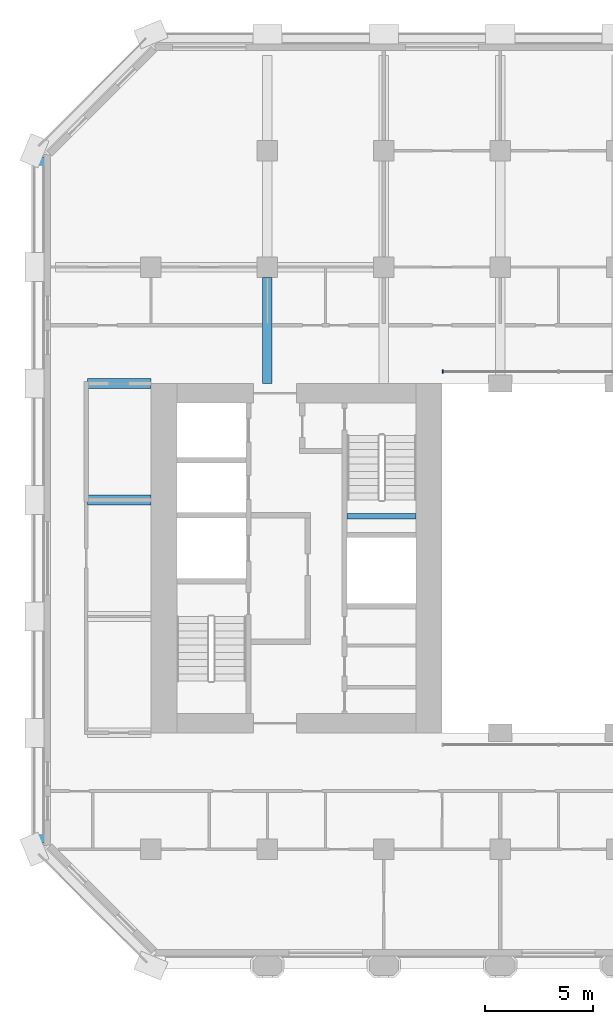
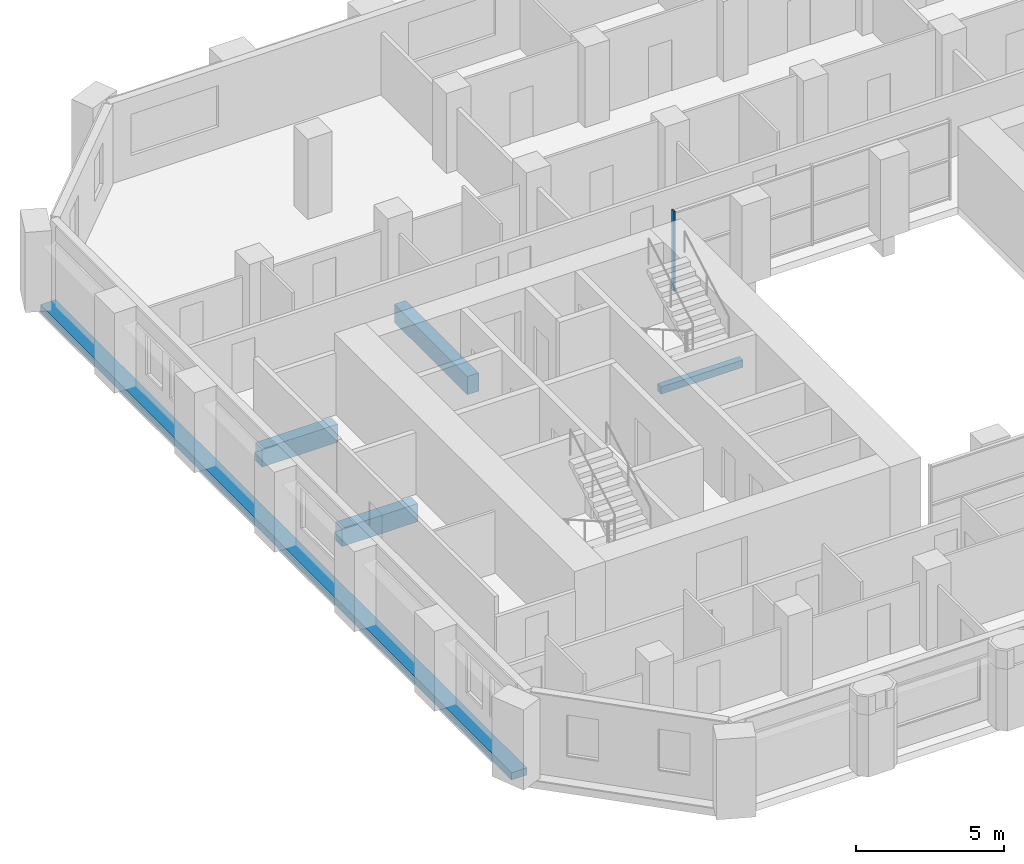
# One storey, part 3 of 13: 5 beams, 1 member, 1 element without a shape of its own.
"""IFC4 building model written with IfcOpenShell, lengths in metres."""

from ifc_helpers import new_model, si_unit, direction, frame, origin, origin_2d, place, context, subcontext, project, spatial, rectangle, extrude, material, material_profile, profile_set, type_object, element, aggregate, save


model = new_model("IFC4")

# Units and contexts
model_context = context("Model", 3, precision=1e-05, world=origin(), true_north=direction((0.0, 1.0)))
body_context = subcontext(model_context, "Body", "Model", "MODEL_VIEW")
ifc_project = project(units=[si_unit("LENGTHUNIT", "METRE"), si_unit("AREAUNIT", "SQUARE_METRE"), si_unit("VOLUMEUNIT", "CUBIC_METRE"), si_unit("PLANEANGLEUNIT", "RADIAN"), si_unit("MASSUNIT", "GRAM", prefix="KILO")], contexts=[model_context])

# Site, building, storey
site_placement = place(None, origin())
site = spatial("IfcSite", under=ifc_project, at=site_placement, CompositionType="ELEMENT")
building_placement = place(site_placement, origin())
building = spatial("IfcBuilding", under=site, at=building_placement, Name="Tabaq Tower and Sports Hall", CompositionType="ELEMENT")
storey_placement = place(building_placement, frame((0.0, 0.0, 122.0)))
storey = spatial("IfcBuildingStorey", under=building, at=storey_placement, Name="L29", CompositionType="ELEMENT", Elevation=122.0)

# Curtain wall, member
ifc_material_1 = material(Name="Aluminium alloy 6063-T6 framed glazing", Category="aluminium")
curtain_wall_type = type_object("IfcCurtainWallType", Name="CW1 curtain wall", PredefinedType="USERDEFINED", material=ifc_material_1)
curtain_wall_placement = place(storey_placement, origin())
curtain_wall = element("IfcCurtainWall", 1, at=curtain_wall_placement, inside=storey, type_object=curtain_wall_type, Name="Atrium glazing L29 N", ObjectType="ATRIUM ENCLOSURE", PredefinedType="USERDEFINED")
ifc_material_2 = material(Name="Aluminium alloy 6063-T6", Category="aluminium")
ifc_material_profile_1 = material_profile(ifc_material_2, rectangle(XDim=0.159912109375, YDim=0.06005859375, at=origin_2d()), Name="MULLION 160x60")
ifc_profile_set_1 = profile_set([ifc_material_profile_1], Name="Aluminium alloy 6063-T6")
member_type = type_object("IfcMemberType", Name="CW1 mullion 160x60", PredefinedType="MULLION", material=ifc_profile_set_1)
member_placement = place(storey_placement, frame((18.929931640625, 32.949951171875, 0.0), z_axis=(0.0, 0.0, 1.0), x_axis=(0.0, 1.0, 0.0)))
member = element("IfcMember", 2, at=member_placement, type_object=member_type, Name="CW1 mullion 1", PredefinedType="MULLION", context=body_context, shape_type="SweptSolid", body=[
    extrude(rectangle(XDim=0.159912109375, YDim=0.06005859375, at=origin_2d()), origin(), (0.0, 0.0, 1.0), 3.300048828125),
])
aggregate(curtain_wall, [member])

# Beams
ifc_material_3 = material(Name="Concrete C40/50", Category="concrete")
ifc_material_profile_2 = material_profile(ifc_material_3, rectangle(XDim=0.449951171875, YDim=0.75, at=origin_2d()), Name="CB 450x750")
ifc_profile_set_2 = profile_set([ifc_material_profile_2], Name="Concrete C40/50")
beam_type_1 = type_object("IfcBeamType", Name="PT CANTILEVER BEAM CB 450x750 C40/50", PredefinedType="BEAM", material=ifc_profile_set_2)
for number, where, z_axis, x_axis, name in (
    (3, (2.449951171875, 27.0, -0.675048828125), (1.0, 0.0, 0.0), (0.0, 1.0, 0.0), "Cantilever Beam L29 W5 span 1"),
    (4, (2.449951171875, 32.39990234375, -0.675048828125), (1.0, 0.0, 0.0), (0.0, 1.0, 0.0), "Cantilever Beam L29 W6 span 1"),
):
    element("IfcBeam", number, at=place(storey_placement, frame(where, z_axis=z_axis, x_axis=x_axis)), inside=storey, type_object=beam_type_1, Name=name, PredefinedType="BEAM", context=body_context, shape_type="SweptSolid", body=[
        extrude(rectangle(XDim=0.449951171875, YDim=0.75, at=origin_2d()), origin(), (0.0, 0.0, 1.0), 2.949951171875),
    ])
beam_1_placement = place(storey_placement, frame((10.800048828125, 37.324951171875, -0.675048828125), z_axis=(0.0, -1.0, 0.0), x_axis=(1.0, 0.0, 0.0)))
element("IfcBeam", 5, at=beam_1_placement, inside=storey, type_object=beam_type_1, Name="Cantilever Beam L29 N2 span 3", PredefinedType="BEAM", context=body_context, shape_type="SweptSolid", body=[
    extrude(rectangle(XDim=0.449951171875, YDim=0.75, at=origin_2d()), origin(), (0.0, 0.0, 1.0), 4.925048828125),
])
ifc_material_4 = material(Name="Concrete C40/50", Category="concrete")
ifc_material_profile_3 = material_profile(ifc_material_4, rectangle(XDim=0.60009765625, YDim=0.300048828125, at=origin_2d()), Name="EB 600x300")
ifc_profile_set_3 = profile_set([ifc_material_profile_3], Name="Concrete C40/50")
beam_type_2 = type_object("IfcBeamType", Name="PT EDGE BEAM EB 600x300 C40/50", PredefinedType="SPANDREL", material=ifc_profile_set_3)
beam_2_placement = place(storey_placement, frame((0.300048828125, 42.9013671875, -0.14990234375), z_axis=(0.0, -1.0, 0.0), x_axis=(1.0, 0.0, 0.0)))
element("IfcBeam", 6, at=beam_2_placement, inside=storey, type_object=beam_type_2, Name="Edge Beam L29 4", PredefinedType="SPANDREL", context=body_context, shape_type="SweptSolid", body=[
    extrude(rectangle(XDim=0.60009765625, YDim=0.300048828125, at=origin_2d()), origin(), (0.0, 0.0, 1.0), 31.802734375),
])
ifc_material_5 = material(Name="Concrete C40/50", Category="concrete")
ifc_material_profile_4 = material_profile(ifc_material_5, rectangle(XDim=0.25, YDim=0.300048828125, at=origin_2d()), Name="RC 250x300")
ifc_profile_set_4 = profile_set([ifc_material_profile_4], Name="Concrete C40/50")
beam_type_3 = type_object("IfcBeamType", Name="Stair landing beam 250x300", PredefinedType="BEAM", material=ifc_profile_set_4)
beam_3_placement = place(storey_placement, frame((14.5, 26.25, 1.550048828125), z_axis=(1.0, 0.0, 0.0), x_axis=(0.0, 1.0, 0.0)))
element("IfcBeam", 7, at=beam_3_placement, inside=storey, type_object=beam_type_3, Name="L29 ST2 landing beam 1", PredefinedType="BEAM", context=body_context, shape_type="SweptSolid", body=[
    extrude(rectangle(XDim=0.25, YDim=0.300048828125, at=origin_2d()), origin(), (0.0, 0.0, 1.0), 3.199951171875),
])

save(model, "model.ifc")
